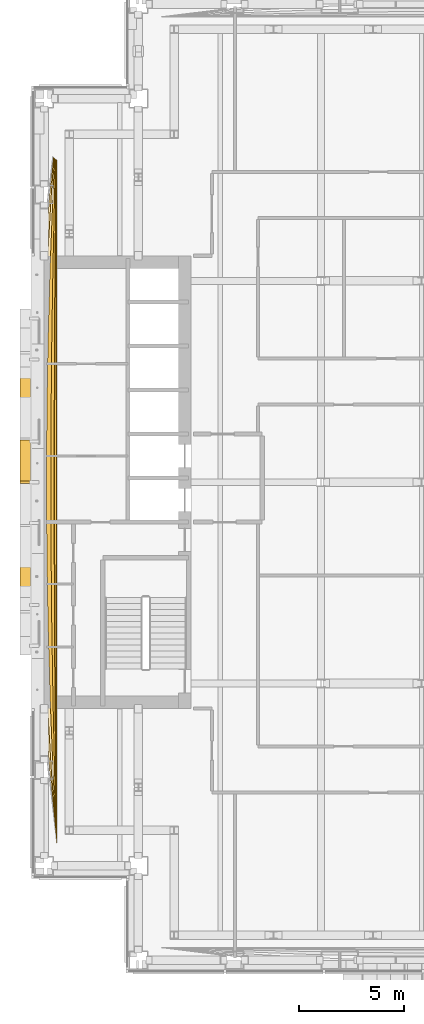
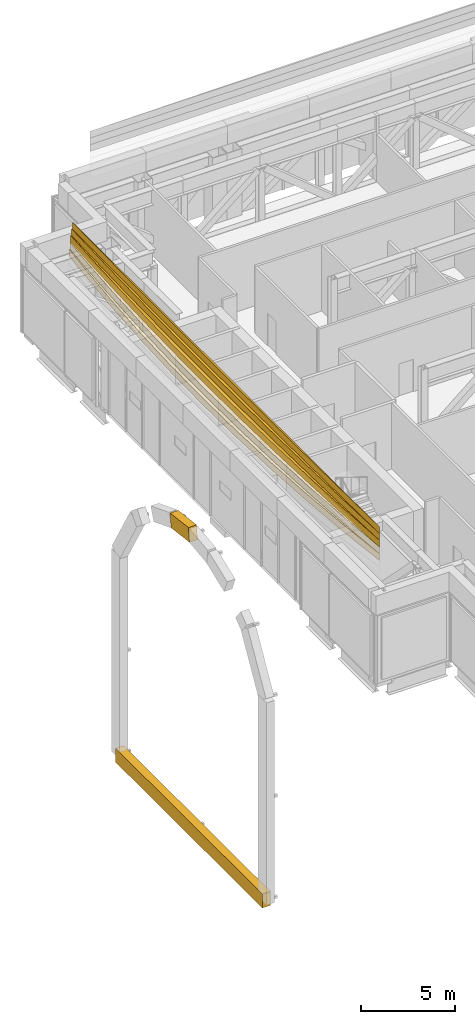
# One storey, part 22 of 38: 7 coverings.
"""IFC4 building model written with IfcOpenShell, lengths in metres."""

from ifc_helpers import new_model, si_unit, direction, frame, origin, origin_2d, place, context, subcontext, project, spatial, polyline, rectangle, outline, extrude, material, material_profile, profile_set, type_object, element, save


model = new_model("IFC4")

# Units and contexts
model_context = context("Model", 3, precision=1e-05, world=origin(), true_north=direction((0.0, 1.0)))
body_context = subcontext(model_context, "Body", "Model", "MODEL_VIEW")
ifc_project = project(units=[si_unit("LENGTHUNIT", "METRE"), si_unit("AREAUNIT", "SQUARE_METRE"), si_unit("VOLUMEUNIT", "CUBIC_METRE"), si_unit("PLANEANGLEUNIT", "RADIAN"), si_unit("MASSUNIT", "GRAM", prefix="KILO")], contexts=[model_context])

# Site, building, storey
site_placement = place(None, origin())
site = spatial("IfcSite", under=ifc_project, at=site_placement, CompositionType="ELEMENT")
building_placement = place(site_placement, origin())
building = spatial("IfcBuilding", under=site, at=building_placement, Name="Cobrizo Arcos Hotel Tower", CompositionType="ELEMENT")
storey_placement = place(building_placement, frame((0.0, 0.0, 138.0)))
storey = spatial("IfcBuildingStorey", under=building, at=storey_placement, Name="L35", CompositionType="ELEMENT", Elevation=138.0)

# Coverings
ifc_material = material(Name="Aluminium 6063-T6 anodised pale", Category="aluminium")
ifc_material_profile = material_profile(ifc_material, rectangle(XDim=0.5, YDim=0.89990234375, at=origin_2d()), Name="AF-2 core arch rim 500x900")
ifc_profile_set = profile_set([ifc_material_profile], Name="Aluminium 6063-T6 anodised pale")
covering_type_1 = type_object("IfcCoveringType", Name="AF-2 core arch rim 500x900", PredefinedType="CLADDING", material=ifc_profile_set)
covering_1_placement = place(storey_placement, frame((-23.699951171875, 0.0, -1.5400390625), z_axis=(0.0, 0.992631300505, -0.121173847251), x_axis=(-1.0, 0.0, 0.0)))
element("IfcCovering", 1, at=covering_1_placement, inside=storey, type_object=covering_type_1, Name="Arch rim B W face", PredefinedType="CLADDING", context=body_context, shape_type="SweptSolid", body=[
    extrude(rectangle(XDim=0.5, YDim=0.89990234375, at=origin_2d()), origin(), (0.0, 0.0, 1.0), 1.96435546875),
])
covering_2_placement = place(storey_placement, frame((-23.699951171875, -7.800048828125, -20.550048828125), z_axis=(0.0, 1.0, 0.0), x_axis=(-1.0, 0.0, 0.0)))
element("IfcCovering", 2, at=covering_2_placement, inside=storey, type_object=covering_type_1, Name="Arch rim B W face", PredefinedType="CLADDING", context=body_context, shape_type="SweptSolid", body=[
    extrude(rectangle(XDim=0.5, YDim=0.89990234375, at=origin_2d()), origin(), (0.0, 0.0, 1.0), 15.60009765625),
])
covering_type_2 = type_object("IfcCoveringType", Name="LF-2 setback roll course", PredefinedType="CLADDING", material=ifc_material)
covering_3_placement = place(storey_placement, frame((0.0, 0.0, 6.625)))
element("IfcCovering", 3, at=covering_3_placement, inside=storey, type_object=covering_type_2, Name="Setback roll L35 W", PredefinedType="CLADDING", context=body_context, shape_type="SweptSolid", body=[
    extrude(outline(polyline([(-22.199951171875, -17.199951171875), (-22.53173828125, -13.760009765625), (-22.789794921875, -10.320068359375), (-22.97412109375, -6.8798828125), (-23.084716796875, -3.43994140625), (-23.12158203125, 0.0), (-23.084716796875, 3.43994140625), (-22.97412109375, 6.8798828125), (-22.789794921875, 10.320068359375), (-22.53173828125, 13.760009765625), (-22.363525390625, 15.504150390625), (-22.331298828125, 15.468505859375), (-22.215087890625, 15.36328125), (-22.199951171875, 15.35205078125), (-22.199951171875, -17.199951171875)])), origin(), (0.0, 0.0, 1.0), 0.4375),
])
covering_4_placement = place(storey_placement, frame((0.0, 0.0, 7.0625)))
element("IfcCovering", 4, at=covering_4_placement, inside=storey, type_object=covering_type_2, Name="Setback roll L35 W", PredefinedType="CLADDING", context=body_context, shape_type="SweptSolid", body=[
    extrude(outline(polyline([(-22.199951171875, -17.199951171875), (-22.456298828125, -13.760009765625), (-22.655517578125, -10.320068359375), (-22.798095703125, -6.8798828125), (-22.88330078125, -3.43994140625), (-22.911865234375, 0.0), (-22.88330078125, 3.43994140625), (-22.798095703125, 6.8798828125), (-22.655517578125, 10.320068359375), (-22.456298828125, 13.760009765625), (-22.3291015625, 15.466552734375), (-22.215087890625, 15.36328125), (-22.199951171875, 15.35205078125), (-22.199951171875, -17.199951171875)])), origin(), (0.0, 0.0, 1.0), 0.4375),
])
covering_5_placement = place(storey_placement, frame((0.0, 0.0, 7.5)))
element("IfcCovering", 5, at=covering_5_placement, inside=storey, type_object=covering_type_2, Name="Setback roll L35 W", PredefinedType="CLADDING", context=body_context, shape_type="SweptSolid", body=[
    extrude(outline(polyline([(-22.199951171875, -17.199951171875), (-22.375732421875, -13.760009765625), (-22.512451171875, -10.320068359375), (-22.610107421875, -6.8798828125), (-22.668701171875, -3.43994140625), (-22.68798828125, 0.0), (-22.668701171875, 3.43994140625), (-22.610107421875, 6.8798828125), (-22.512451171875, 10.320068359375), (-22.375732421875, 13.760009765625), (-22.290283203125, 15.431396484375), (-22.215087890625, 15.36328125), (-22.199951171875, 15.35205078125), (-22.199951171875, -17.199951171875)])), origin(), (0.0, 0.0, 1.0), 0.4375),
])
covering_6_placement = place(storey_placement, frame((0.0, 0.0, 7.9375)))
element("IfcCovering", 6, at=covering_6_placement, inside=storey, type_object=covering_type_2, Name="Setback roll L35 W", PredefinedType="CLADDING", context=body_context, shape_type="SweptSolid", body=[
    extrude(outline(polyline([(-22.199951171875, -17.199951171875), (-22.30029296875, -13.760009765625), (-22.378173828125, -10.320068359375), (-22.433837890625, -6.8798828125), (-22.46728515625, -3.43994140625), (-22.478271484375, 0.0), (-22.46728515625, 3.43994140625), (-22.433837890625, 6.8798828125), (-22.378173828125, 10.320068359375), (-22.30029296875, 13.760009765625), (-22.25244140625, 15.397216796875), (-22.215087890625, 15.36328125), (-22.199951171875, 15.35205078125), (-22.199951171875, -17.199951171875)])), origin(), (0.0, 0.0, 1.0), 0.4375),
])
covering_7_placement = place(storey_placement, frame((0.0, 0.0, 8.375)))
element("IfcCovering", 7, at=covering_7_placement, inside=storey, type_object=covering_type_2, Name="Setback roll L35 W", PredefinedType="CLADDING", context=body_context, shape_type="SweptSolid", body=[
    extrude(outline(polyline([(-22.199951171875, -17.199951171875), (-22.239990234375, -13.760009765625), (-22.27099609375, -10.320068359375), (-22.29296875, -6.8798828125), (-22.306396484375, -3.43994140625), (-22.310791015625, 0.0), (-22.306396484375, 3.43994140625), (-22.29296875, 6.8798828125), (-22.27099609375, 10.320068359375), (-22.239990234375, 13.760009765625), (-22.22119140625, 15.368896484375), (-22.215087890625, 15.36328125), (-22.199951171875, 15.35205078125), (-22.199951171875, -17.199951171875)])), origin(), (0.0, 0.0, 1.0), 0.4375),
])

save(model, "model.ifc")
